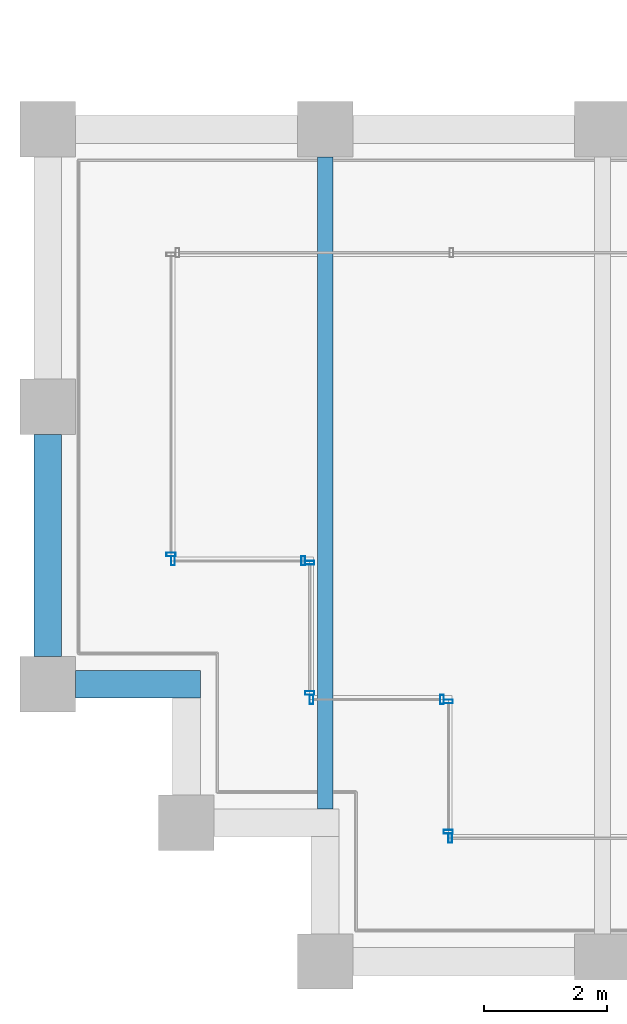
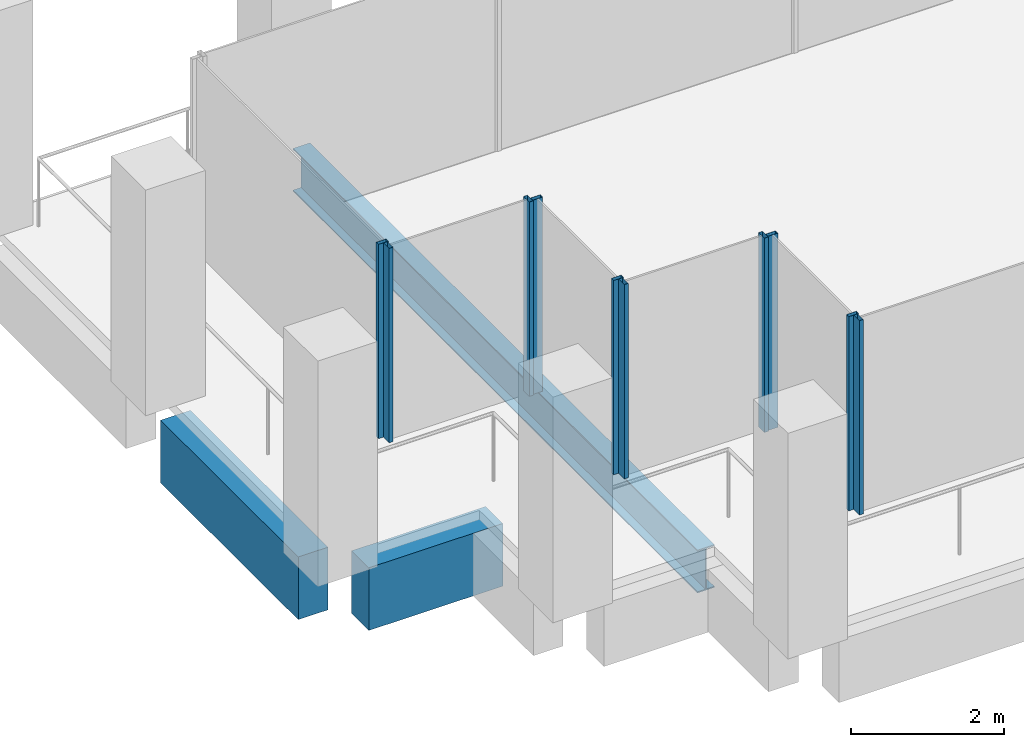
# One storey, part 2 of 40: 10 members, 3 beams, 6 elements without a shape of their own.
"""IFC4 building model written with IfcOpenShell, lengths in metres."""

from ifc_helpers import new_model, si_unit, direction, frame, origin, origin_2d, place, context, subcontext, project, spatial, rectangle, hollow_rectangle, i_section, extrude, material, material_profile, profile_set, type_object, element, aggregate, save


model = new_model("IFC4")

# Units and contexts
model_context = context("Model", 3, precision=1e-05, world=origin(), true_north=direction((0.0, 1.0)))
body_context = subcontext(model_context, "Body", "Model", "MODEL_VIEW")
ifc_project = project(units=[si_unit("LENGTHUNIT", "METRE"), si_unit("AREAUNIT", "SQUARE_METRE"), si_unit("VOLUMEUNIT", "CUBIC_METRE"), si_unit("PLANEANGLEUNIT", "RADIAN"), si_unit("MASSUNIT", "GRAM", prefix="KILO")], contexts=[model_context])

# Site, building, storey
site_placement = place(None, origin())
site = spatial("IfcSite", under=ifc_project, at=site_placement, CompositionType="ELEMENT")
building_placement = place(site_placement, origin())
building = spatial("IfcBuilding", under=site, at=building_placement, Name="Altepetl Exchange Towers", CompositionType="ELEMENT")
storey_placement = place(building_placement, frame((0.0, 0.0, 183.39990234375)))
storey = spatial("IfcBuildingStorey", under=building, at=storey_placement, Name="L46", CompositionType="ELEMENT", Elevation=183.39990234375)

# Beam
ifc_material_1 = material(Name="Steel S355", Category="steel")
ifc_material_profile_1 = material_profile(ifc_material_1, i_section(OverallWidth=0.25390625, OverallDepth=0.68408203125, WebThickness=0.012451171875, FlangeThickness=0.018798828125, at=origin_2d()), Name="W27X94")
ifc_profile_set_1 = profile_set([ifc_material_profile_1], Name="Steel S355")
beam_type_1 = type_object("IfcBeamType", Name="Floor beam W27X94", PredefinedType="BEAM", material=ifc_profile_set_1)
beam_1_placement = place(storey_placement, frame((31.5, 29.47509765625, -0.491943359375), z_axis=(0.0, 1.0, 0.0), x_axis=(-1.0, 0.0, 0.0)))
element("IfcBeam", 1, at=beam_1_placement, inside=storey, type_object=beam_type_1, Name="bm:A:L46:012", PredefinedType="BEAM", context=body_context, shape_type="SweptSolid", body=[
    extrude(i_section(OverallWidth=0.25390625, OverallDepth=0.68408203125, WebThickness=0.012451171875, FlangeThickness=0.018798828125, at=origin_2d()), origin(), (0.0, 0.0, 1.0), 10.574951171875),
])

# Curtain wall, member
ifc_material_2 = material(Name="Aluminium 6063-T6 glazing", Category="aluminium")
curtain_wall_type = type_object("IfcCurtainWallType", Name="Loggia glazing system", PredefinedType="NOTDEFINED", material=ifc_material_2)
curtain_wall_1_placement = place(storey_placement, origin())
curtain_wall_1 = element("IfcCurtainWall", 2, at=curtain_wall_1_placement, inside=storey, type_object=curtain_wall_type, Name="CW1 run", PredefinedType="NOTDEFINED")
ifc_material_3 = material(Name="Aluminium 6063-T6", Category="aluminium")
ifc_material_profile_2 = material_profile(ifc_material_3, hollow_rectangle(XDim=0.06005859375, YDim=0.14990234375, WallThickness=0.0029296875, at=origin_2d()), Name="Mullion 60x150 aluminium")
ifc_profile_set_2 = profile_set([ifc_material_profile_2], Name="Aluminium 6063-T6")
member_type = type_object("IfcMemberType", Name="Mullion 60x150 aluminium", PredefinedType="MULLION", material=ifc_profile_set_2)
member_1_placement = place(storey_placement, frame((29.0, 33.60498046875, 0.0), z_axis=(0.0, 0.0, 1.0), x_axis=(0.0, -1.0, 0.0)))
member_1 = element("IfcMember", 3, at=member_1_placement, type_object=member_type, Name="MU1 mullion", PredefinedType="MULLION", context=body_context, shape_type="SweptSolid", body=[
    extrude(hollow_rectangle(XDim=0.06005859375, YDim=0.14990234375, WallThickness=0.0029296875, at=origin_2d()), origin(), (0.0, 0.0, 1.0), 3.10009765625),
])
aggregate(curtain_wall_1, [member_1])

# Curtain wall, members
curtain_wall_2_placement = place(storey_placement, origin())
curtain_wall_2 = element("IfcCurtainWall", 4, at=curtain_wall_2_placement, inside=storey, type_object=curtain_wall_type, Name="CW1 run", PredefinedType="NOTDEFINED")
member_2_placement = place(storey_placement, frame((29.030029296875, 33.5, 0.0)))
member_2 = element("IfcMember", 5, at=member_2_placement, type_object=member_type, Name="MU1 mullion", PredefinedType="MULLION", context=body_context, shape_type="SweptSolid", body=[
    extrude(hollow_rectangle(XDim=0.06005859375, YDim=0.14990234375, WallThickness=0.0029296875, at=origin_2d()), origin(), (0.0, 0.0, 1.0), 3.10009765625),
])
member_3_placement = place(storey_placement, frame((31.14501953125, 33.5, 0.0)))
member_3 = element("IfcMember", 6, at=member_3_placement, type_object=member_type, Name="MU1 mullion", PredefinedType="MULLION", context=body_context, shape_type="SweptSolid", body=[
    extrude(hollow_rectangle(XDim=0.06005859375, YDim=0.14990234375, WallThickness=0.0029296875, at=origin_2d()), origin(), (0.0, 0.0, 1.0), 3.10009765625),
])
aggregate(curtain_wall_2, [member_2, member_3])

curtain_wall_3_placement = place(storey_placement, origin())
curtain_wall_3 = element("IfcCurtainWall", 7, at=curtain_wall_3_placement, inside=storey, type_object=curtain_wall_type, Name="CW1 run", PredefinedType="NOTDEFINED")
member_4_placement = place(storey_placement, frame((31.25, 33.469970703125, 0.0), z_axis=(0.0, 0.0, 1.0), x_axis=(0.0, -1.0, 0.0)))
member_4 = element("IfcMember", 8, at=member_4_placement, type_object=member_type, Name="MU1 mullion", PredefinedType="MULLION", context=body_context, shape_type="SweptSolid", body=[
    extrude(hollow_rectangle(XDim=0.06005859375, YDim=0.14990234375, WallThickness=0.0029296875, at=origin_2d()), origin(), (0.0, 0.0, 1.0), 3.10009765625),
])
member_5_placement = place(storey_placement, frame((31.25, 31.35498046875, 0.0), z_axis=(0.0, 0.0, 1.0), x_axis=(0.0, -1.0, 0.0)))
member_5 = element("IfcMember", 9, at=member_5_placement, type_object=member_type, Name="MU1 mullion", PredefinedType="MULLION", context=body_context, shape_type="SweptSolid", body=[
    extrude(hollow_rectangle(XDim=0.06005859375, YDim=0.14990234375, WallThickness=0.0029296875, at=origin_2d()), origin(), (0.0, 0.0, 1.0), 3.10009765625),
])
aggregate(curtain_wall_3, [member_4, member_5])

curtain_wall_4_placement = place(storey_placement, origin())
curtain_wall_4 = element("IfcCurtainWall", 10, at=curtain_wall_4_placement, inside=storey, type_object=curtain_wall_type, Name="CW1 run", PredefinedType="NOTDEFINED")
member_6_placement = place(storey_placement, frame((31.280029296875, 31.25, 0.0)))
member_6 = element("IfcMember", 11, at=member_6_placement, type_object=member_type, Name="MU1 mullion", PredefinedType="MULLION", context=body_context, shape_type="SweptSolid", body=[
    extrude(hollow_rectangle(XDim=0.06005859375, YDim=0.14990234375, WallThickness=0.0029296875, at=origin_2d()), origin(), (0.0, 0.0, 1.0), 3.10009765625),
])
member_7_placement = place(storey_placement, frame((33.39501953125, 31.25, 0.0)))
member_7 = element("IfcMember", 12, at=member_7_placement, type_object=member_type, Name="MU1 mullion", PredefinedType="MULLION", context=body_context, shape_type="SweptSolid", body=[
    extrude(hollow_rectangle(XDim=0.06005859375, YDim=0.14990234375, WallThickness=0.0029296875, at=origin_2d()), origin(), (0.0, 0.0, 1.0), 3.10009765625),
])
aggregate(curtain_wall_4, [member_6, member_7])

curtain_wall_5_placement = place(storey_placement, origin())
curtain_wall_5 = element("IfcCurtainWall", 13, at=curtain_wall_5_placement, inside=storey, type_object=curtain_wall_type, Name="CW1 run", PredefinedType="NOTDEFINED")
member_8_placement = place(storey_placement, frame((33.5, 31.219970703125, 0.0), z_axis=(0.0, 0.0, 1.0), x_axis=(0.0, -1.0, 0.0)))
member_8 = element("IfcMember", 14, at=member_8_placement, type_object=member_type, Name="MU1 mullion", PredefinedType="MULLION", context=body_context, shape_type="SweptSolid", body=[
    extrude(hollow_rectangle(XDim=0.06005859375, YDim=0.14990234375, WallThickness=0.0029296875, at=origin_2d()), origin(), (0.0, 0.0, 1.0), 3.10009765625),
])
member_9_placement = place(storey_placement, frame((33.5, 29.10498046875, 0.0), z_axis=(0.0, 0.0, 1.0), x_axis=(0.0, -1.0, 0.0)))
member_9 = element("IfcMember", 15, at=member_9_placement, type_object=member_type, Name="MU1 mullion", PredefinedType="MULLION", context=body_context, shape_type="SweptSolid", body=[
    extrude(hollow_rectangle(XDim=0.06005859375, YDim=0.14990234375, WallThickness=0.0029296875, at=origin_2d()), origin(), (0.0, 0.0, 1.0), 3.10009765625),
])
aggregate(curtain_wall_5, [member_8, member_9])

# Curtain wall, member
curtain_wall_6_placement = place(storey_placement, origin())
curtain_wall_6 = element("IfcCurtainWall", 16, at=curtain_wall_6_placement, inside=storey, type_object=curtain_wall_type, Name="CW1 run", PredefinedType="NOTDEFINED")
member_10_placement = place(storey_placement, frame((33.530029296875, 29.0, 0.0)))
member_10 = element("IfcMember", 17, at=member_10_placement, type_object=member_type, Name="MU1 mullion", PredefinedType="MULLION", context=body_context, shape_type="SweptSolid", body=[
    extrude(hollow_rectangle(XDim=0.06005859375, YDim=0.14990234375, WallThickness=0.0029296875, at=origin_2d()), origin(), (0.0, 0.0, 1.0), 3.10009765625),
])
aggregate(curtain_wall_6, [member_10])

# Beams
ifc_material_4 = material(Name="Concrete C50/60 precast with cantera blanca facing", Category="concrete")
ifc_material_profile_3 = material_profile(ifc_material_4, rectangle(XDim=0.449951171875, YDim=1.0, at=origin_2d()), Name="450 x 1000")
ifc_profile_set_3 = profile_set([ifc_material_profile_3], Name="Concrete C50/60 precast with cantera blanca facing")
beam_type_2 = type_object("IfcBeamType", Name="Spandrel beam 450x1000 cantera blanca", PredefinedType="SPANDREL", material=ifc_profile_set_3)
beam_2_placement = place(storey_placement, frame((27.0, 35.550048828125, -0.64990234375), z_axis=(0.0, -1.0, 0.0), x_axis=(1.0, 0.0, 0.0)))
element("IfcBeam", 18, at=beam_2_placement, inside=storey, type_object=beam_type_2, Name="sp:A:L46:037", PredefinedType="SPANDREL", context=body_context, shape_type="SweptSolid", body=[
    extrude(rectangle(XDim=0.449951171875, YDim=1.0, at=origin_2d()), origin(), (0.0, 0.0, 1.0), 3.60009765625),
])
beam_3_placement = place(storey_placement, frame((27.449951171875, 31.5, -0.64990234375), z_axis=(1.0, 0.0, 0.0), x_axis=(0.0, 1.0, 0.0)))
element("IfcBeam", 19, at=beam_3_placement, inside=storey, type_object=beam_type_2, Name="sp:A:L46:038", PredefinedType="SPANDREL", context=body_context, shape_type="SweptSolid", body=[
    extrude(rectangle(XDim=0.449951171875, YDim=1.0, at=origin_2d()), origin(), (0.0, 0.0, 1.0), 2.025146484375),
])

save(model, "model.ifc")
